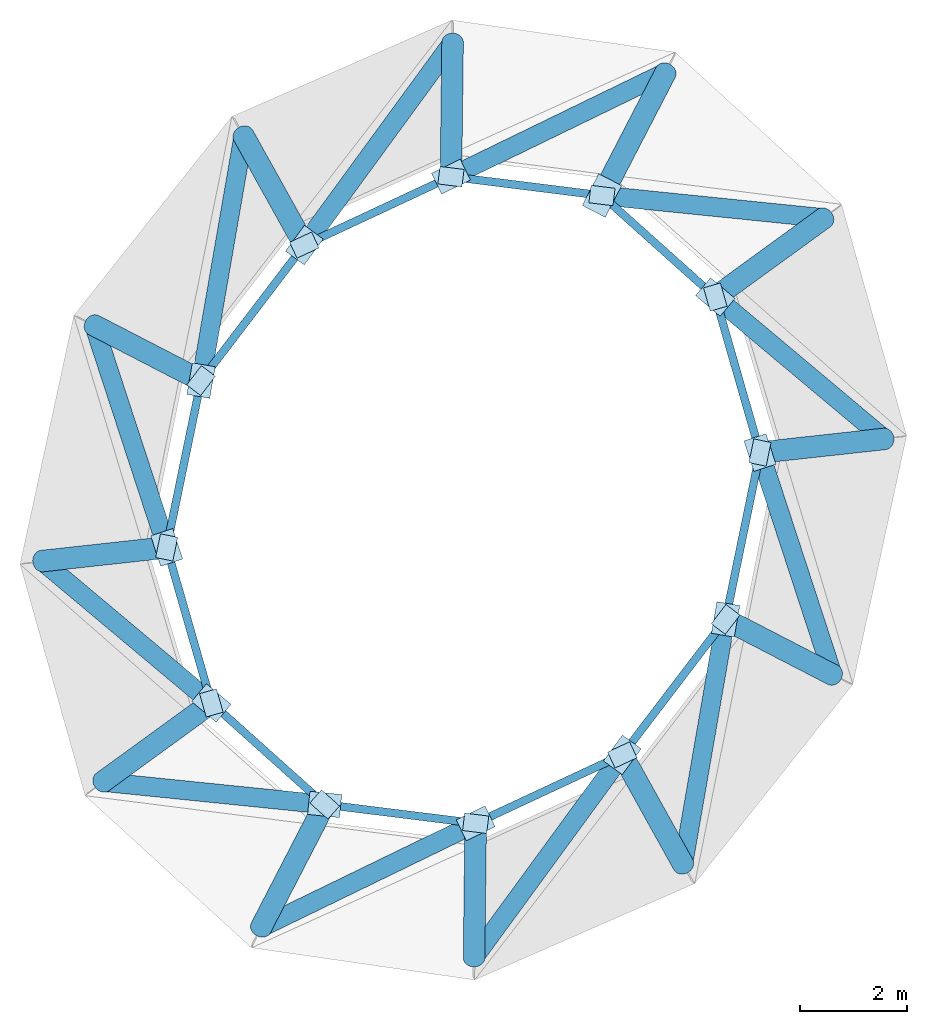
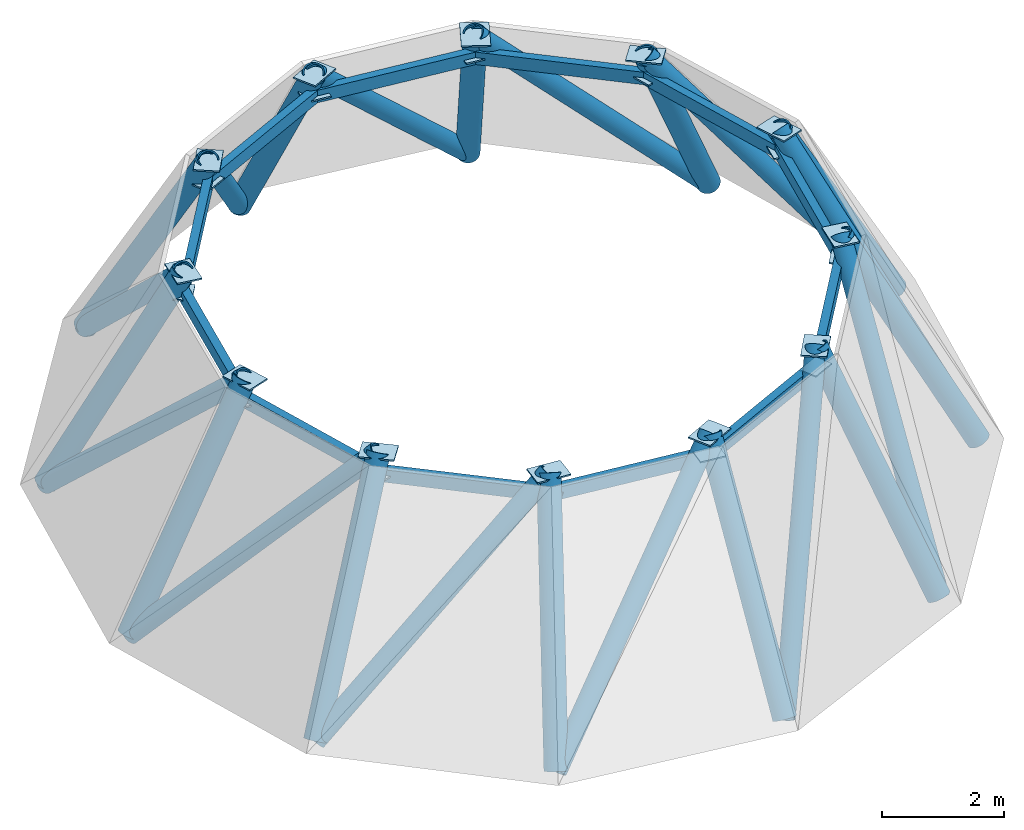
# One storey, part 1 of 2: 36 members, 24 plates.
"""IFC4 building model written with IfcOpenShell, lengths in metres."""

import ifcopenshell
import ifcopenshell.guid

model = None  # the IFC model being written
_history = None  # IfcOwnerHistory: only IFC2X3 demands one
_inside = {}  # id of a spatial element -> (the spatial element, [elements in it])
_under = {}  # id of a project, library or spatial element -> (it, [spatial elements below it])
_declared = {}  # id of a project -> (the project, [libraries it declares])
_typed = {}  # id of a type object -> (the type object, [elements of that type])
_made_of = {}  # id of a material, layer set ... -> (it, [elements and type objects made of it])


def new_model(schema):
    """Start an empty IFC model of exactly this schema.

    Asked for "IFC4X3", IfcOpenShell would pick the latest addendum, in which some entities
    have other attributes; the version numbers below select the first issue.
    IFC2X3 requires an IfcOwnerHistory on every rooted entity: one is made here for all.
    """
    global model, _history
    if schema == "IFC4X3":
        model = ifcopenshell.file(schema_version=(4, 3, 0, 0))
    else:
        model = ifcopenshell.file(schema=schema)
    _inside.clear()
    _under.clear()
    _declared.clear()
    _typed.clear()
    _made_of.clear()
    _history = None
    if model.schema == "IFC2X3":
        org = make("IfcOrganization", Name="unknown")
        user = make(
            "IfcPersonAndOrganization",
            ThePerson=make("IfcPerson", FamilyName="unknown"),
            TheOrganization=org,
        )
        app = make(
            "IfcApplication",
            ApplicationDeveloper=org,
            Version="unknown",
            ApplicationFullName="unknown",
            ApplicationIdentifier="unknown",
        )
        _history = make(
            "IfcOwnerHistory",
            OwningUser=user,
            OwningApplication=app,
            ChangeAction="ADDED",
            CreationDate=0,
        )
    return model


def make(cls, **values):
    """One entity of the class cls with the attributes given. An attribute that is None is left unset."""
    return model.create_entity(
        cls, **{name: value for name, value in values.items() if value is not None}
    )


def rooted(cls, **values):
    """An entity with a GlobalId (a new one), such as an element, a storey or a relation."""
    return make(cls, GlobalId=ifcopenshell.guid.new(), OwnerHistory=_history, **values)


def si_unit(unit_type, name, prefix=None):
    """IfcSIUnit, for example si_unit("LENGTHUNIT", "METRE", prefix="MILLI")."""
    return make("IfcSIUnit", UnitType=unit_type, Prefix=prefix, Name=name)


def assignment(units):
    """IfcUnitAssignment: the units of a project."""
    return None if units is None else make("IfcUnitAssignment", Units=units)


def point(xyz):
    """IfcCartesianPoint."""
    return None if xyz is None else make("IfcCartesianPoint", Coordinates=xyz)


def direction(xyz):
    """IfcDirection."""
    return None if xyz is None else make("IfcDirection", DirectionRatios=xyz)


def frame(location, z_axis=None, x_axis=None):
    """IfcAxis2Placement3D, a coordinate frame: its origin and axes. An axis left out is left unset."""
    return make(
        "IfcAxis2Placement3D",
        Location=point(location),
        Axis=direction(z_axis),
        RefDirection=direction(x_axis),
    )


def frame_2d(location, x_axis=None):
    """IfcAxis2Placement2D, a coordinate frame in the plane: its origin and x axis."""
    return make(
        "IfcAxis2Placement2D", Location=point(location), RefDirection=direction(x_axis)
    )


def origin():
    """The frame at (0, 0, 0) with its axes left unset."""
    return frame((0.0, 0.0, 0.0))


def origin_2d():
    """The frame at (0, 0) in the plane with its x axis left unset."""
    return frame_2d((0.0, 0.0))


def place(relative_to, where):
    """IfcLocalPlacement: puts the frame where relative to a parent placement (None: the world)."""
    return make(
        "IfcLocalPlacement", PlacementRelTo=relative_to, RelativePlacement=where
    )


def context(
    kind, dimensions, precision=None, world=None, true_north=None, identifier=None
):
    """IfcGeometricRepresentationContext, for example the 3D "Model" context."""
    return make(
        "IfcGeometricRepresentationContext",
        ContextIdentifier=identifier,
        ContextType=kind,
        CoordinateSpaceDimension=dimensions,
        Precision=precision,
        WorldCoordinateSystem=world,
        TrueNorth=true_north,
    )


def subcontext(parent, identifier, kind, view, scale=None):
    """IfcGeometricRepresentationSubContext, for example "Body" below "Model"."""
    return make(
        "IfcGeometricRepresentationSubContext",
        ContextIdentifier=identifier,
        ContextType=kind,
        ParentContext=parent,
        TargetScale=scale,
        TargetView=view,
    )


def project(units=None, contexts=None):
    """IfcProject with its units and contexts."""
    return rooted(
        "IfcProject",
        Name="project",
        RepresentationContexts=contexts,
        UnitsInContext=assignment(units),
    )


def spatial(cls, under=None, at=None, **own):
    """A site, building, storey or space (cls), placed at a placement, below another one or the project."""
    s = rooted(cls, ObjectPlacement=at, **own)
    if under is not None:
        _under.setdefault(under.id(), (under, []))[1].append(s)
    return s


def profile(cls, at=None, kind="AREA", **sizes):
    """A parametric profile (cls). Its sizes go by their IFC names, for example OverallWidth=200.0."""
    return make(cls, ProfileType=kind, Position=at, **sizes)


def rectangle(**sizes):
    """IfcRectangleProfileDef."""
    return profile("IfcRectangleProfileDef", **sizes)


def hollow_rectangle(**sizes):
    """IfcRectangleHollowProfileDef."""
    return profile("IfcRectangleHollowProfileDef", **sizes)


def hollow_circle(**sizes):
    """IfcCircleHollowProfileDef."""
    return profile("IfcCircleHollowProfileDef", **sizes)


def extrude(swept, where, along, depth):
    """IfcExtrudedAreaSolid: the profile swept, set in the frame where, extruded along a direction by depth."""
    return make(
        "IfcExtrudedAreaSolid",
        SweptArea=swept,
        Position=where,
        ExtrudedDirection=direction(along),
        Depth=depth,
    )


def shape(context_of_items, identifier, shape_type, items):
    """IfcShapeRepresentation: the items that make up one representation, for example the "Body"."""
    return make(
        "IfcShapeRepresentation",
        ContextOfItems=context_of_items,
        RepresentationIdentifier=identifier,
        RepresentationType=shape_type,
        Items=items,
    )


def material(Name=None, Category=None):
    """IfcMaterial."""
    return make("IfcMaterial", Name=Name, Category=Category)


def layer(
    of_material, thickness, ventilated=None, Name=None, Category=None, Priority=None
):
    """IfcMaterialLayer: one layer of a wall or slab, of a material (None: an air gap)."""
    return make(
        "IfcMaterialLayer",
        Material=of_material,
        LayerThickness=thickness,
        IsVentilated=ventilated,
        Name=Name,
        Category=Category,
        Priority=Priority,
    )


def layer_set(layers, Name=None):
    """IfcMaterialLayerSet."""
    return make("IfcMaterialLayerSet", MaterialLayers=layers, LayerSetName=Name)


def material_profile(
    of_material, cross_section, Name=None, Category=None, Priority=None
):
    """IfcMaterialProfile: a cross section and its material."""
    return make(
        "IfcMaterialProfile",
        Name=Name,
        Material=of_material,
        Profile=cross_section,
        Priority=Priority,
        Category=Category,
    )


def profile_set(profiles, Name=None, composite=None):
    """IfcMaterialProfileSet."""
    return make(
        "IfcMaterialProfileSet",
        Name=Name,
        MaterialProfiles=profiles,
        CompositeProfile=composite,
    )


def made_of(thing, what):
    """Note that an element or type object is made of a material, layer set ...; save() writes the relation."""
    if what is not None:
        _made_of.setdefault(what.id(), (what, []))[1].append(thing)
    return thing


def type_object(cls, material=None, **own):
    """A type object (cls), such as IfcWallType, which elements share."""
    return made_of(rooted(cls, **own), material)


def element(
    cls,
    number,
    at=None,
    inside=None,
    cuts=None,
    type_object=None,
    material=None,
    context=None,
    identifier="Body",
    shape_type=None,
    held_by="IfcProductDefinitionShape",
    body=None,
    shapes=None,
    **own,
):
    """One element of the class cls, such as IfcWall. Its Tag is "e" and its number.

    at: its placement. inside: the storey or other place that contains it. cuts: it is an
    opening in that element (IfcRelVoidsElement). A single representation is given by context,
    identifier, shape_type and body (its items); several are given by shapes. held_by: the class
    of the entity that holds the representations. save() writes the other relations.
    """
    e = rooted(cls, Tag="e%d" % number, ObjectPlacement=at, **own)
    if body is not None:
        shapes = [shape(context, identifier, shape_type, body)]
    if shapes is not None:
        e.Representation = make(held_by, Representations=shapes)
    if inside is not None:
        _inside.setdefault(inside.id(), (inside, []))[1].append(e)
    if cuts is not None:
        rooted(
            "IfcRelVoidsElement", RelatingBuildingElement=cuts, RelatedOpeningElement=e
        )
    if type_object is not None:
        _typed.setdefault(type_object.id(), (type_object, []))[1].append(e)
    return made_of(e, material)


def aggregate(whole, parts):
    """IfcRelAggregates: a whole, such as a stair, and the parts it consists of."""
    return rooted("IfcRelAggregates", RelatingObject=whole, RelatedObjects=parts)


def save(model, path):
    """Write the relations noted so far, then the file.

    IfcRelAggregates (storeys below a building ...), IfcRelContainedInSpatialStructure (elements
    in a storey), IfcRelDefinesByType, IfcRelAssociatesMaterial and IfcRelDeclares: one each for
    every whole, place, type object, material and project.
    """
    for whole, parts in _under.values():
        aggregate(whole, parts)
    for where, things in _inside.values():
        rooted(
            "IfcRelContainedInSpatialStructure",
            RelatedElements=things,
            RelatingStructure=where,
        )
    for kind, things in _typed.values():
        rooted("IfcRelDefinesByType", RelatedObjects=things, RelatingType=kind)
    for what, things in _made_of.values():
        rooted("IfcRelAssociatesMaterial", RelatedObjects=things, RelatingMaterial=what)
    for by, libraries in _declared.values():
        rooted("IfcRelDeclares", RelatingContext=by, RelatedDefinitions=libraries)
    model.write(path)


model = new_model("IFC4")

# Units and contexts
model_context = context("Model", 3, precision=1e-05, world=origin(), true_north=direction((0.0, 1.0)))
body_context = subcontext(model_context, "Body", "Model", "MODEL_VIEW")
ifc_project = project(units=[si_unit("LENGTHUNIT", "METRE"), si_unit("AREAUNIT", "SQUARE_METRE"), si_unit("VOLUMEUNIT", "CUBIC_METRE"), si_unit("PLANEANGLEUNIT", "RADIAN"), si_unit("MASSUNIT", "GRAM", prefix="KILO")], contexts=[model_context])

# Site, building, storey
site_placement = place(None, origin())
site = spatial("IfcSite", under=ifc_project, at=site_placement, CompositionType="ELEMENT")
building_placement = place(site_placement, origin())
building = spatial("IfcBuilding", under=site, at=building_placement, Name="Veldorim Arch Residences", CompositionType="ELEMENT")
storey_placement = place(building_placement, frame((0.0, 0.0, 259.360107421875)))
storey = spatial("IfcBuildingStorey", under=building, at=storey_placement, Name="L77", CompositionType="ELEMENT", Elevation=259.360107421875)

# Members
ifc_material_1 = material(Name="Steel S460", Category="steel")
ifc_material_profile_1 = material_profile(ifc_material_1, hollow_circle(Radius=0.177734375, WallThickness=0.02490234375, at=origin_2d()), Name="CHS355.6x25")
ifc_profile_set_1 = profile_set([ifc_material_profile_1], Name="Steel S460")
member_type_1 = type_object("IfcMemberType", Name="Crown Diagrid CHS355.6x25", PredefinedType="STRUT", material=ifc_profile_set_1)
member_1_placement = place(storey_placement, frame((35.7978515625, 32.02685546875, 0.0), z_axis=(-0.659189302018, -0.320210747085, 0.680392931736), x_axis=(0.436940491752, -0.899490414995, 0.0)))
element("IfcMember", 1, at=member_1_placement, inside=storey, type_object=member_type_1, Name="L77 Crown Diagrid diagrid brace 01", PredefinedType="STRUT", context=body_context, shape_type="SweptSolid", body=[
    extrude(hollow_circle(Radius=0.177734375, WallThickness=0.02490234375, at=origin_2d()), origin(), (0.0, 0.0, 1.0), 6.114013671875),
])
member_2_placement = place(storey_placement, frame((31.798095703125, 32.59033203125, 0.0), z_axis=(-0.442585656044, -0.605283839833, 0.661626337369), x_axis=(0.807224099624, -0.590245078748, 0.0)))
element("IfcMember", 2, at=member_2_placement, inside=storey, type_object=member_type_1, Name="L77 Crown Diagrid diagrid brace 02", PredefinedType="STRUT", context=body_context, shape_type="SweptSolid", body=[
    extrude(hollow_circle(Radius=0.177734375, WallThickness=0.02490234375, at=origin_2d()), origin(), (0.0, 0.0, 1.0), 6.287353515625),
])
member_3_placement = place(storey_placement, frame((27.87255859375, 30.840087890625, 0.0), z_axis=(-0.127347950194, -0.735540828548, 0.665403779009), x_axis=(0.985340867922, -0.170597110183, 0.0)))
element("IfcMember", 3, at=member_3_placement, inside=storey, type_object=member_type_1, Name="L77 Crown Diagrid diagrid brace 03", PredefinedType="STRUT", context=body_context, shape_type="SweptSolid", body=[
    extrude(hollow_circle(Radius=0.177734375, WallThickness=0.02490234375, at=origin_2d()), origin(), (0.0, 0.0, 1.0), 6.251708984375),
])
member_4_placement = place(storey_placement, frame((25.06689453125, 27.2802734375, 0.0), z_axis=(0.225665196523, -0.689754616604, 0.687978043219), x_axis=(0.950426728512, 0.310948603035, 0.0)))
element("IfcMember", 4, at=member_4_placement, inside=storey, type_object=member_type_1, Name="L77 Crown Diagrid diagrid brace 04", PredefinedType="STRUT", context=body_context, shape_type="SweptSolid", body=[
    extrude(hollow_circle(Radius=0.177734375, WallThickness=0.02490234375, at=origin_2d()), origin(), (0.0, 0.0, 1.0), 6.046630859375),
])
member_5_placement = place(storey_placement, frame((24.093994140625, 22.853515625, 0.0), z_axis=(0.540818228299, -0.453509012476, 0.708410346863), x_axis=(0.642545329204, 0.76624767531, 0.0)))
element("IfcMember", 5, at=member_5_placement, inside=storey, type_object=member_type_1, Name="L77 Crown Diagrid diagrid brace 05", PredefinedType="STRUT", context=body_context, shape_type="SweptSolid", body=[
    extrude(hollow_circle(Radius=0.177734375, WallThickness=0.02490234375, at=origin_2d()), origin(), (0.0, 0.0, 1.0), 5.8720703125),
])
member_6_placement = place(storey_placement, frame((25.22998046875, 18.708251953125, 0.0), z_axis=(0.705943652832, -0.071789478139, 0.704620344479), x_axis=(0.101171146783, 0.994869036134, 0.0)))
element("IfcMember", 6, at=member_6_placement, inside=storey, type_object=member_type_1, Name="L77 Crown Diagrid diagrid brace 06", PredefinedType="STRUT", context=body_context, shape_type="SweptSolid", body=[
    extrude(hollow_circle(Radius=0.177734375, WallThickness=0.02490234375, at=origin_2d()), origin(), (0.0, 0.0, 1.0), 5.90380859375),
])
member_7_placement = place(storey_placement, frame((28.2021484375, 15.97314453125, 0.0), z_axis=(0.659189302018, 0.320210747085, 0.680392931736), x_axis=(-0.436940491752, 0.899490414995, 0.0)))
element("IfcMember", 7, at=member_7_placement, inside=storey, type_object=member_type_1, Name="L77 Crown Diagrid diagrid brace 07", PredefinedType="STRUT", context=body_context, shape_type="SweptSolid", body=[
    extrude(hollow_circle(Radius=0.177734375, WallThickness=0.02490234375, at=origin_2d()), origin(), (0.0, 0.0, 1.0), 6.114013671875),
])
member_8_placement = place(storey_placement, frame((32.201904296875, 15.40966796875, 0.0), z_axis=(0.442585656044, 0.605283839833, 0.661626337369), x_axis=(-0.807224099624, 0.590245078748, 0.0)))
element("IfcMember", 8, at=member_8_placement, inside=storey, type_object=member_type_1, Name="L77 Crown Diagrid diagrid brace 08", PredefinedType="STRUT", context=body_context, shape_type="SweptSolid", body=[
    extrude(hollow_circle(Radius=0.177734375, WallThickness=0.02490234375, at=origin_2d()), origin(), (0.0, 0.0, 1.0), 6.287353515625),
])
member_9_placement = place(storey_placement, frame((36.12744140625, 17.159912109375, 0.0), z_axis=(0.127347950194, 0.735540828548, 0.665403779009), x_axis=(-0.985340867922, 0.170597110183, 0.0)))
element("IfcMember", 9, at=member_9_placement, inside=storey, type_object=member_type_1, Name="L77 Crown Diagrid diagrid brace 09", PredefinedType="STRUT", context=body_context, shape_type="SweptSolid", body=[
    extrude(hollow_circle(Radius=0.177734375, WallThickness=0.02490234375, at=origin_2d()), origin(), (0.0, 0.0, 1.0), 6.251708984375),
])
member_10_placement = place(storey_placement, frame((38.93310546875, 20.7197265625, 0.0), z_axis=(-0.225665196523, 0.689754616604, 0.687978043219), x_axis=(-0.950426728512, -0.310948603035, 0.0)))
element("IfcMember", 10, at=member_10_placement, inside=storey, type_object=member_type_1, Name="L77 Crown Diagrid diagrid brace 10", PredefinedType="STRUT", context=body_context, shape_type="SweptSolid", body=[
    extrude(hollow_circle(Radius=0.177734375, WallThickness=0.02490234375, at=origin_2d()), origin(), (0.0, 0.0, 1.0), 6.046630859375),
])
member_11_placement = place(storey_placement, frame((39.906005859375, 25.146484375, 0.0), z_axis=(-0.540818228299, 0.453509012476, 0.708410346863), x_axis=(-0.642545329204, -0.76624767531, 0.0)))
element("IfcMember", 11, at=member_11_placement, inside=storey, type_object=member_type_1, Name="L77 Crown Diagrid diagrid brace 11", PredefinedType="STRUT", context=body_context, shape_type="SweptSolid", body=[
    extrude(hollow_circle(Radius=0.177734375, WallThickness=0.02490234375, at=origin_2d()), origin(), (0.0, 0.0, 1.0), 5.8720703125),
])
member_12_placement = place(storey_placement, frame((38.77001953125, 29.291748046875, 0.0), z_axis=(-0.705943652832, 0.071789478139, 0.704620344479), x_axis=(-0.101171146783, -0.994869036134, 0.0)))
element("IfcMember", 12, at=member_12_placement, inside=storey, type_object=member_type_1, Name="L77 Crown Diagrid diagrid brace 12", PredefinedType="STRUT", context=body_context, shape_type="SweptSolid", body=[
    extrude(hollow_circle(Radius=0.177734375, WallThickness=0.02490234375, at=origin_2d()), origin(), (0.0, 0.0, 1.0), 5.90380859375),
])
ifc_material_2 = material(Name="Steel S460", Category="steel")
ifc_material_profile_2 = material_profile(ifc_material_2, hollow_circle(Radius=0.203125, WallThickness=0.02490234375, at=origin_2d()), Name="CHS406.4x25")
ifc_profile_set_2 = profile_set([ifc_material_profile_2], Name="Steel S460")
member_type_2 = type_object("IfcMemberType", Name="Crown Diagrid CHS406.4x25", PredefinedType="BRACE", material=ifc_profile_set_2)
member_13_placement = place(storey_placement, frame((35.7978515625, 32.02685546875, 0.0), z_axis=(-0.243655296484, -0.471040369984, 0.847793056318), x_axis=(0.888207081414, -0.459443337666, 0.0)))
element("IfcMember", 13, at=member_13_placement, inside=storey, type_object=member_type_2, Name="L77 Crown Diagrid tapering rib 01", PredefinedType="BRACE", context=body_context, shape_type="SweptSolid", body=[
    extrude(hollow_circle(Radius=0.203125, WallThickness=0.02490234375, at=origin_2d()), origin(), (0.0, 0.0, 1.0), 4.90673828125),
])
member_14_placement = place(storey_placement, frame((31.798095703125, 32.59033203125, 0.0), z_axis=(-0.006273648586, -0.518303751618, 0.855173586117), x_axis=(0.999926752306, -0.012103306288, 0.0)))
element("IfcMember", 14, at=member_14_placement, inside=storey, type_object=member_type_2, Name="L77 Crown Diagrid tapering rib 02", PredefinedType="BRACE", context=body_context, shape_type="SweptSolid", body=[
    extrude(hollow_circle(Radius=0.203125, WallThickness=0.02490234375, at=origin_2d()), origin(), (0.0, 0.0, 1.0), 4.864501953125),
])
member_15_placement = place(storey_placement, frame((27.87255859375, 30.840087890625, 0.0), z_axis=(0.239150825817, -0.430124076598, 0.870517180325), x_axis=(0.873990734284, 0.485942585483, 0.0)))
element("IfcMember", 15, at=member_15_placement, inside=storey, type_object=member_type_2, Name="L77 Crown Diagrid tapering rib 03", PredefinedType="BRACE", context=body_context, shape_type="SweptSolid", body=[
    extrude(hollow_circle(Radius=0.203125, WallThickness=0.02490234375, at=origin_2d()), origin(), (0.0, 0.0, 1.0), 4.778564453125),
])
member_16_placement = place(storey_placement, frame((25.06689453125, 27.2802734375, 0.0), z_axis=(0.424383569775, -0.219332730631, 0.87851678355), x_axis=(0.459132213525, 0.888367947702, 0.0)))
element("IfcMember", 16, at=member_16_placement, inside=storey, type_object=member_type_2, Name="L77 Crown Diagrid tapering rib 04", PredefinedType="BRACE", context=body_context, shape_type="SweptSolid", body=[
    extrude(hollow_circle(Radius=0.203125, WallThickness=0.02490234375, at=origin_2d()), origin(), (0.0, 0.0, 1.0), 4.735107421875),
])
member_17_placement = place(storey_placement, frame((24.093994140625, 22.853515625, 0.0), z_axis=(0.489151462808, 0.053595141475, 0.870550634508), x_axis=(-0.108915759499, 0.994050983266, 0.0)))
element("IfcMember", 17, at=member_17_placement, inside=storey, type_object=member_type_2, Name="L77 Crown Diagrid tapering rib 05", PredefinedType="BRACE", context=body_context, shape_type="SweptSolid", body=[
    extrude(hollow_circle(Radius=0.203125, WallThickness=0.02490234375, at=origin_2d()), origin(), (0.0, 0.0, 1.0), 4.778564453125),
])
member_18_placement = place(storey_placement, frame((25.22998046875, 18.708251953125, 0.0), z_axis=(0.419330401112, 0.304698368061, 0.855173034656), x_axis=(-0.587831968956, 0.808983050671, 0.0)))
element("IfcMember", 18, at=member_18_placement, inside=storey, type_object=member_type_2, Name="L77 Crown Diagrid tapering rib 06", PredefinedType="BRACE", context=body_context, shape_type="SweptSolid", body=[
    extrude(hollow_circle(Radius=0.203125, WallThickness=0.02490234375, at=origin_2d()), origin(), (0.0, 0.0, 1.0), 4.864501953125),
])
member_19_placement = place(storey_placement, frame((28.2021484375, 15.97314453125, 0.0), z_axis=(0.243655296484, 0.471040369984, 0.847793056318), x_axis=(-0.888207081414, 0.459443337666, 0.0)))
element("IfcMember", 19, at=member_19_placement, inside=storey, type_object=member_type_2, Name="L77 Crown Diagrid tapering rib 07", PredefinedType="BRACE", context=body_context, shape_type="SweptSolid", body=[
    extrude(hollow_circle(Radius=0.203125, WallThickness=0.02490234375, at=origin_2d()), origin(), (0.0, 0.0, 1.0), 4.90673828125),
])
member_20_placement = place(storey_placement, frame((32.201904296875, 15.40966796875, 0.0), z_axis=(0.006273648586, 0.518303751618, 0.855173586117), x_axis=(-0.999926752306, 0.012103306288, 0.0)))
element("IfcMember", 20, at=member_20_placement, inside=storey, type_object=member_type_2, Name="L77 Crown Diagrid tapering rib 08", PredefinedType="BRACE", context=body_context, shape_type="SweptSolid", body=[
    extrude(hollow_circle(Radius=0.203125, WallThickness=0.02490234375, at=origin_2d()), origin(), (0.0, 0.0, 1.0), 4.864501953125),
])
member_21_placement = place(storey_placement, frame((36.12744140625, 17.159912109375, 0.0), z_axis=(-0.239150825817, 0.430124076598, 0.870517180325), x_axis=(-0.873990734284, -0.485942585483, 0.0)))
element("IfcMember", 21, at=member_21_placement, inside=storey, type_object=member_type_2, Name="L77 Crown Diagrid tapering rib 09", PredefinedType="BRACE", context=body_context, shape_type="SweptSolid", body=[
    extrude(hollow_circle(Radius=0.203125, WallThickness=0.02490234375, at=origin_2d()), origin(), (0.0, 0.0, 1.0), 4.778564453125),
])
member_22_placement = place(storey_placement, frame((38.93310546875, 20.7197265625, 0.0), z_axis=(-0.424383569775, 0.219332730631, 0.87851678355), x_axis=(-0.459132213525, -0.888367947702, 0.0)))
element("IfcMember", 22, at=member_22_placement, inside=storey, type_object=member_type_2, Name="L77 Crown Diagrid tapering rib 10", PredefinedType="BRACE", context=body_context, shape_type="SweptSolid", body=[
    extrude(hollow_circle(Radius=0.203125, WallThickness=0.02490234375, at=origin_2d()), origin(), (0.0, 0.0, 1.0), 4.735107421875),
])
member_23_placement = place(storey_placement, frame((39.906005859375, 25.146484375, 0.0), z_axis=(-0.489151462808, -0.053595141475, 0.870550634508), x_axis=(0.108915759499, -0.994050983266, 0.0)))
element("IfcMember", 23, at=member_23_placement, inside=storey, type_object=member_type_2, Name="L77 Crown Diagrid tapering rib 11", PredefinedType="BRACE", context=body_context, shape_type="SweptSolid", body=[
    extrude(hollow_circle(Radius=0.203125, WallThickness=0.02490234375, at=origin_2d()), origin(), (0.0, 0.0, 1.0), 4.778564453125),
])
member_24_placement = place(storey_placement, frame((38.77001953125, 29.291748046875, 0.0), z_axis=(-0.419330401112, -0.304698368061, 0.855173034656), x_axis=(0.587831968956, -0.808983050671, 0.0)))
element("IfcMember", 24, at=member_24_placement, inside=storey, type_object=member_type_2, Name="L77 Crown Diagrid tapering rib 12", PredefinedType="BRACE", context=body_context, shape_type="SweptSolid", body=[
    extrude(hollow_circle(Radius=0.203125, WallThickness=0.02490234375, at=origin_2d()), origin(), (0.0, 0.0, 1.0), 4.864501953125),
])
ifc_material_3 = material(Name="Steel S355", Category="steel")
ifc_material_profile_3 = material_profile(ifc_material_3, hollow_rectangle(XDim=0.14990234375, YDim=0.25, WallThickness=0.012451171875, at=origin_2d()), Name="RHS250x150x12.5")
ifc_profile_set_3 = profile_set([ifc_material_profile_3], Name="Steel S355")
member_type_3 = type_object("IfcMemberType", Name="Truss Purlin RHS250x150x12.5", PredefinedType="PURLIN", material=ifc_profile_set_3)
member_25_placement = place(storey_placement, frame((34.602294921875, 29.715576171875, 3.739990234375), z_axis=(-0.992313336174, 0.123750728687, 0.0), x_axis=(-0.123750728687, -0.992313336174, 0.0)))
element("IfcMember", 25, at=member_25_placement, inside=storey, type_object=member_type_3, Name="L77 crown ring purlin 01", PredefinedType="PURLIN", context=body_context, shape_type="SweptSolid", body=[
    extrude(hollow_rectangle(XDim=0.14990234375, YDim=0.25, WallThickness=0.012451171875, at=origin_2d()), origin(), (0.0, 0.0, 1.0), 2.856689453125),
])
member_26_placement = place(storey_placement, frame((31.767578125, 30.069091796875, 3.739990234375), z_axis=(-0.906174925346, -0.422903067705, 0.0), x_axis=(0.422903067705, -0.906174925346, 0.0)))
element("IfcMember", 26, at=member_26_placement, inside=storey, type_object=member_type_3, Name="L77 crown ring purlin 02", PredefinedType="PURLIN", context=body_context, shape_type="SweptSolid", body=[
    extrude(hollow_rectangle(XDim=0.14990234375, YDim=0.25, WallThickness=0.012451171875, at=origin_2d()), origin(), (0.0, 0.0, 1.0), 3.037109375),
])
for number, where, z_axis, x_axis, name in (
    (27, (29.015380859375, 28.78466796875, 3.739990234375), (-0.606333001729, -0.795210846892, 0.0), (0.795210846892, -0.606333001729, 0.0), "L77 crown ring purlin 03"),
    (28, (27.076416015625, 26.24169921875, 3.739990234375), (-0.201706774562, -0.979445954147, 0.0), (0.979445954147, -0.201706774562, 0.0), "L77 crown ring purlin 04"),
):
    element("IfcMember", number, at=place(storey_placement, frame(where, z_axis=z_axis, x_axis=x_axis)), inside=storey, type_object=member_type_3, Name=name, PredefinedType="PURLIN", context=body_context, shape_type="SweptSolid", body=[
        extrude(hollow_rectangle(XDim=0.14990234375, YDim=0.25, WallThickness=0.012451171875, at=origin_2d()), origin(), (0.0, 0.0, 1.0), 3.19775390625),
    ])
member_27_placement = place(storey_placement, frame((26.431396484375, 23.109619140625, 3.739990234375), z_axis=(0.276037341722, -0.961146911755, 0.0), x_axis=(0.961146911755, 0.276037341722, 0.0)))
element("IfcMember", 29, at=member_27_placement, inside=storey, type_object=member_type_3, Name="L77 crown ring purlin 05", PredefinedType="PURLIN", context=body_context, shape_type="SweptSolid", body=[
    extrude(hollow_rectangle(XDim=0.14990234375, YDim=0.25, WallThickness=0.012451171875, at=origin_2d()), origin(), (0.0, 0.0, 1.0), 3.037109375),
])
for number, where, z_axis, x_axis, name in (
    (30, (27.269775390625, 20.1904296875, 3.739990234375), (0.744881346867, -0.667196956745, 0.0), (0.667196956745, 0.744881346867, 0.0), "L77 crown ring purlin 06"),
    (31, (29.397705078125, 18.284423828125, 3.739990234375), (0.992313336174, -0.123750728687, 0.0), (0.123750728687, 0.992313336174, 0.0), "L77 crown ring purlin 07"),
):
    element("IfcMember", number, at=place(storey_placement, frame(where, z_axis=z_axis, x_axis=x_axis)), inside=storey, type_object=member_type_3, Name=name, PredefinedType="PURLIN", context=body_context, shape_type="SweptSolid", body=[
        extrude(hollow_rectangle(XDim=0.14990234375, YDim=0.25, WallThickness=0.012451171875, at=origin_2d()), origin(), (0.0, 0.0, 1.0), 2.856689453125),
    ])
member_28_placement = place(storey_placement, frame((32.232421875, 17.930908203125, 3.739990234375), z_axis=(0.906174925346, 0.422903067705, 0.0), x_axis=(-0.422903067705, 0.906174925346, 0.0)))
element("IfcMember", 32, at=member_28_placement, inside=storey, type_object=member_type_3, Name="L77 crown ring purlin 08", PredefinedType="PURLIN", context=body_context, shape_type="SweptSolid", body=[
    extrude(hollow_rectangle(XDim=0.14990234375, YDim=0.25, WallThickness=0.012451171875, at=origin_2d()), origin(), (0.0, 0.0, 1.0), 3.037109375),
])
for number, where, z_axis, x_axis, name in (
    (33, (34.984619140625, 19.21533203125, 3.739990234375), (0.606333001729, 0.795210846892, 0.0), (-0.795210846892, 0.606333001729, 0.0), "L77 crown ring purlin 09"),
    (34, (36.923583984375, 21.75830078125, 3.739990234375), (0.201706774562, 0.979445954147, 0.0), (-0.979445954147, 0.201706774562, 0.0), "L77 crown ring purlin 10"),
):
    element("IfcMember", number, at=place(storey_placement, frame(where, z_axis=z_axis, x_axis=x_axis)), inside=storey, type_object=member_type_3, Name=name, PredefinedType="PURLIN", context=body_context, shape_type="SweptSolid", body=[
        extrude(hollow_rectangle(XDim=0.14990234375, YDim=0.25, WallThickness=0.012451171875, at=origin_2d()), origin(), (0.0, 0.0, 1.0), 3.19775390625),
    ])
member_29_placement = place(storey_placement, frame((37.568603515625, 24.890380859375, 3.739990234375), z_axis=(-0.276037341722, 0.961146911755, 0.0), x_axis=(-0.961146911755, -0.276037341722, 0.0)))
element("IfcMember", 35, at=member_29_placement, inside=storey, type_object=member_type_3, Name="L77 crown ring purlin 11", PredefinedType="PURLIN", context=body_context, shape_type="SweptSolid", body=[
    extrude(hollow_rectangle(XDim=0.14990234375, YDim=0.25, WallThickness=0.012451171875, at=origin_2d()), origin(), (0.0, 0.0, 1.0), 3.037109375),
])
member_30_placement = place(storey_placement, frame((36.730224609375, 27.8095703125, 3.739990234375), z_axis=(-0.744881346867, 0.667196956745, 0.0), x_axis=(-0.667196956745, -0.744881346867, 0.0)))
element("IfcMember", 36, at=member_30_placement, inside=storey, type_object=member_type_3, Name="L77 crown ring purlin 12", PredefinedType="PURLIN", context=body_context, shape_type="SweptSolid", body=[
    extrude(hollow_rectangle(XDim=0.14990234375, YDim=0.25, WallThickness=0.012451171875, at=origin_2d()), origin(), (0.0, 0.0, 1.0), 2.856689453125),
])

# Plates
ifc_material_4 = material(Name="Steel S460", Category="steel")
ifc_layer = layer(ifc_material_4, 0.028076171875, Name="Welded Crown Rib End-Cap Gusset Plate 28")
ifc_layer_set = layer_set([ifc_layer], Name="Steel S460")
plate_type = type_object("IfcPlateType", Name="Welded Crown Rib End-Cap Gusset Plate 28", PredefinedType="USERDEFINED", material=ifc_layer_set)
plate_1_placement = place(storey_placement, frame((34.602294921875, 29.715576171875, 4.14599609375), z_axis=(0.0, 0.0, 1.0), x_axis=(-0.459409342195, -0.888224665444, 0.0)))
element("IfcPlate", 37, at=plate_1_placement, inside=storey, type_object=plate_type, Name="L77 Crown Diagrid tapering rib 01 welded joint gusset plate 2", ObjectType="GUSSET PLATE", PredefinedType="USERDEFINED", context=body_context, shape_type="SweptSolid", body=[
    extrude(rectangle(XDim=0.6708984375, YDim=0.486083984375, at=origin_2d()), origin(), (0.0, 0.0, 1.0), 0.028076171875),
])
plate_2_placement = place(storey_placement, frame((31.767578125, 30.069091796875, 4.14599609375), z_axis=(0.0, 0.0, 1.0), x_axis=(-0.899481528961, -0.436958784165, 0.0)))
element("IfcPlate", 38, at=plate_2_placement, inside=storey, type_object=plate_type, Name="L77 Crown Diagrid diagrid brace 01 welded joint gusset plate 2", ObjectType="GUSSET PLATE", PredefinedType="USERDEFINED", context=body_context, shape_type="SweptSolid", body=[
    extrude(rectangle(XDim=0.60205078125, YDim=0.43603515625, at=origin_2d()), origin(), (0.0, 0.0, 1.0), 0.028076171875),
])
for number, where, z_axis, x_axis, name in (
    (39, (34.602294921875, 29.715576171875, 3.72607421875), (0.0, 0.0, 1.0), (-0.992314670191, 0.123740031212, 0.0), "L77 crown ring purlin 01 welded joint gusset plate 1"),
    (40, (31.767578125, 30.069091796875, 3.72607421875), (0.0, 0.0, 1.0), (-0.992314670191, 0.123740031212, 0.0), "L77 crown ring purlin 01 welded joint gusset plate 2"),
):
    element("IfcPlate", number, at=place(storey_placement, frame(where, z_axis=z_axis, x_axis=x_axis)), inside=storey, type_object=plate_type, Name=name, ObjectType="GUSSET PLATE", PredefinedType="USERDEFINED", context=body_context, shape_type="SweptSolid", body=[
        extrude(rectangle(XDim=0.455078125, YDim=0.330078125, at=origin_2d()), origin(), (0.0, 0.0, 1.0), 0.028076171875),
    ])
plate_3_placement = place(storey_placement, frame((29.015380859375, 28.78466796875, 4.14599609375), z_axis=(0.0, 0.0, 1.0), x_axis=(-0.590211241909, -0.807248840151, 0.0)))
element("IfcPlate", 41, at=plate_3_placement, inside=storey, type_object=plate_type, Name="L77 Crown Diagrid diagrid brace 02 welded joint gusset plate 2", ObjectType="GUSSET PLATE", PredefinedType="USERDEFINED", context=body_context, shape_type="SweptSolid", body=[
    extrude(rectangle(XDim=0.60205078125, YDim=0.43603515625, at=origin_2d()), origin(), (0.0, 0.0, 1.0), 0.028076171875),
])
plate_4_placement = place(storey_placement, frame((29.015380859375, 28.78466796875, 3.72607421875), z_axis=(0.0, 0.0, 1.0), x_axis=(-0.906174972872, -0.422902965869, 0.0)))
element("IfcPlate", 42, at=plate_4_placement, inside=storey, type_object=plate_type, Name="L77 crown ring purlin 02 welded joint gusset plate 2", ObjectType="GUSSET PLATE", PredefinedType="USERDEFINED", context=body_context, shape_type="SweptSolid", body=[
    extrude(rectangle(XDim=0.455078125, YDim=0.330078125, at=origin_2d()), origin(), (0.0, 0.0, 1.0), 0.028076171875),
])
plate_5_placement = place(storey_placement, frame((27.076416015625, 26.24169921875, 4.14599609375), z_axis=(0.0, 0.0, 1.0), x_axis=(-0.170639448257, -0.985333536778, 0.0)))
element("IfcPlate", 43, at=plate_5_placement, inside=storey, type_object=plate_type, Name="L77 Crown Diagrid diagrid brace 03 welded joint gusset plate 2", ObjectType="GUSSET PLATE", PredefinedType="USERDEFINED", context=body_context, shape_type="SweptSolid", body=[
    extrude(rectangle(XDim=0.60205078125, YDim=0.43603515625, at=origin_2d()), origin(), (0.0, 0.0, 1.0), 0.028076171875),
])
plate_6_placement = place(storey_placement, frame((27.076416015625, 26.24169921875, 3.72607421875), z_axis=(0.0, 0.0, 1.0), x_axis=(-0.606390947936, -0.795166660683, 0.0)))
element("IfcPlate", 44, at=plate_6_placement, inside=storey, type_object=plate_type, Name="L77 crown ring purlin 03 welded joint gusset plate 2", ObjectType="GUSSET PLATE", PredefinedType="USERDEFINED", context=body_context, shape_type="SweptSolid", body=[
    extrude(rectangle(XDim=0.455078125, YDim=0.330078125, at=origin_2d()), origin(), (0.0, 0.0, 1.0), 0.028076171875),
])
plate_7_placement = place(storey_placement, frame((26.431396484375, 23.109619140625, 4.14599609375), z_axis=(0.0, 0.0, 1.0), x_axis=(0.310958439646, -0.950423510238, 0.0)))
element("IfcPlate", 45, at=plate_7_placement, inside=storey, type_object=plate_type, Name="L77 Crown Diagrid diagrid brace 04 welded joint gusset plate 2", ObjectType="GUSSET PLATE", PredefinedType="USERDEFINED", context=body_context, shape_type="SweptSolid", body=[
    extrude(rectangle(XDim=0.60205078125, YDim=0.43603515625, at=origin_2d()), origin(), (0.0, 0.0, 1.0), 0.028076171875),
])
plate_8_placement = place(storey_placement, frame((26.431396484375, 23.109619140625, 3.72607421875), z_axis=(0.0, 0.0, 1.0), x_axis=(-0.201624987785, -0.97946279373, 0.0)))
element("IfcPlate", 46, at=plate_8_placement, inside=storey, type_object=plate_type, Name="L77 crown ring purlin 04 welded joint gusset plate 2", ObjectType="GUSSET PLATE", PredefinedType="USERDEFINED", context=body_context, shape_type="SweptSolid", body=[
    extrude(rectangle(XDim=0.455078125, YDim=0.330078125, at=origin_2d()), origin(), (0.0, 0.0, 1.0), 0.028076171875),
])
plate_9_placement = place(storey_placement, frame((27.269775390625, 20.1904296875, 4.14599609375), z_axis=(0.0, 0.0, 1.0), x_axis=(0.766279985624, -0.642506796565, 0.0)))
element("IfcPlate", 47, at=plate_9_placement, inside=storey, type_object=plate_type, Name="L77 Crown Diagrid diagrid brace 05 welded joint gusset plate 2", ObjectType="GUSSET PLATE", PredefinedType="USERDEFINED", context=body_context, shape_type="SweptSolid", body=[
    extrude(rectangle(XDim=0.60205078125, YDim=0.43603515625, at=origin_2d()), origin(), (0.0, 0.0, 1.0), 0.028076171875),
])
plate_10_placement = place(storey_placement, frame((27.269775390625, 20.1904296875, 3.72607421875), z_axis=(0.0, 0.0, 1.0), x_axis=(0.276023208774, -0.961150970565, 0.0)))
element("IfcPlate", 48, at=plate_10_placement, inside=storey, type_object=plate_type, Name="L77 crown ring purlin 05 welded joint gusset plate 2", ObjectType="GUSSET PLATE", PredefinedType="USERDEFINED", context=body_context, shape_type="SweptSolid", body=[
    extrude(rectangle(XDim=0.455078125, YDim=0.330078125, at=origin_2d()), origin(), (0.0, 0.0, 1.0), 0.028076171875),
])
plate_11_placement = place(storey_placement, frame((29.397705078125, 18.284423828125, 4.14599609375), z_axis=(0.0, 0.0, 1.0), x_axis=(0.994870120783, -0.101160480293, 0.0)))
element("IfcPlate", 49, at=plate_11_placement, inside=storey, type_object=plate_type, Name="L77 Crown Diagrid diagrid brace 06 welded joint gusset plate 2", ObjectType="GUSSET PLATE", PredefinedType="USERDEFINED", context=body_context, shape_type="SweptSolid", body=[
    extrude(rectangle(XDim=0.60205078125, YDim=0.43603515625, at=origin_2d()), origin(), (0.0, 0.0, 1.0), 0.028076171875),
])
plate_12_placement = place(storey_placement, frame((29.397705078125, 18.284423828125, 3.72607421875), z_axis=(0.0, 0.0, 1.0), x_axis=(0.744882411942, -0.667195767657, 0.0)))
element("IfcPlate", 50, at=plate_12_placement, inside=storey, type_object=plate_type, Name="L77 crown ring purlin 06 welded joint gusset plate 2", ObjectType="GUSSET PLATE", PredefinedType="USERDEFINED", context=body_context, shape_type="SweptSolid", body=[
    extrude(rectangle(XDim=0.455078125, YDim=0.330078125, at=origin_2d()), origin(), (0.0, 0.0, 1.0), 0.028076171875),
])
plate_13_placement = place(storey_placement, frame((32.232421875, 17.930908203125, 4.14599609375), z_axis=(0.0, 0.0, 1.0), x_axis=(0.899481528961, 0.436958784165, 0.0)))
element("IfcPlate", 51, at=plate_13_placement, inside=storey, type_object=plate_type, Name="L77 Crown Diagrid diagrid brace 07 welded joint gusset plate 2", ObjectType="GUSSET PLATE", PredefinedType="USERDEFINED", context=body_context, shape_type="SweptSolid", body=[
    extrude(rectangle(XDim=0.60205078125, YDim=0.43603515625, at=origin_2d()), origin(), (0.0, 0.0, 1.0), 0.028076171875),
])
plate_14_placement = place(storey_placement, frame((32.232421875, 17.930908203125, 3.72607421875), z_axis=(0.0, 0.0, 1.0), x_axis=(0.992314670191, -0.123740031212, 0.0)))
element("IfcPlate", 52, at=plate_14_placement, inside=storey, type_object=plate_type, Name="L77 crown ring purlin 07 welded joint gusset plate 2", ObjectType="GUSSET PLATE", PredefinedType="USERDEFINED", context=body_context, shape_type="SweptSolid", body=[
    extrude(rectangle(XDim=0.455078125, YDim=0.330078125, at=origin_2d()), origin(), (0.0, 0.0, 1.0), 0.028076171875),
])
plate_15_placement = place(storey_placement, frame((34.984619140625, 19.21533203125, 4.14599609375), z_axis=(0.0, 0.0, 1.0), x_axis=(0.590211241909, 0.807248840151, 0.0)))
element("IfcPlate", 53, at=plate_15_placement, inside=storey, type_object=plate_type, Name="L77 Crown Diagrid diagrid brace 08 welded joint gusset plate 2", ObjectType="GUSSET PLATE", PredefinedType="USERDEFINED", context=body_context, shape_type="SweptSolid", body=[
    extrude(rectangle(XDim=0.60205078125, YDim=0.43603515625, at=origin_2d()), origin(), (0.0, 0.0, 1.0), 0.028076171875),
])
plate_16_placement = place(storey_placement, frame((34.984619140625, 19.21533203125, 3.72607421875), z_axis=(0.0, 0.0, 1.0), x_axis=(0.906174972872, 0.422902965869, 0.0)))
element("IfcPlate", 54, at=plate_16_placement, inside=storey, type_object=plate_type, Name="L77 crown ring purlin 08 welded joint gusset plate 2", ObjectType="GUSSET PLATE", PredefinedType="USERDEFINED", context=body_context, shape_type="SweptSolid", body=[
    extrude(rectangle(XDim=0.455078125, YDim=0.330078125, at=origin_2d()), origin(), (0.0, 0.0, 1.0), 0.028076171875),
])
plate_17_placement = place(storey_placement, frame((36.923583984375, 21.75830078125, 4.14599609375), z_axis=(0.0, 0.0, 1.0), x_axis=(0.170639448257, 0.985333536778, 0.0)))
element("IfcPlate", 55, at=plate_17_placement, inside=storey, type_object=plate_type, Name="L77 Crown Diagrid diagrid brace 09 welded joint gusset plate 2", ObjectType="GUSSET PLATE", PredefinedType="USERDEFINED", context=body_context, shape_type="SweptSolid", body=[
    extrude(rectangle(XDim=0.60205078125, YDim=0.43603515625, at=origin_2d()), origin(), (0.0, 0.0, 1.0), 0.028076171875),
])
plate_18_placement = place(storey_placement, frame((36.923583984375, 21.75830078125, 3.72607421875), z_axis=(0.0, 0.0, 1.0), x_axis=(0.606390947936, 0.795166660683, 0.0)))
element("IfcPlate", 56, at=plate_18_placement, inside=storey, type_object=plate_type, Name="L77 crown ring purlin 09 welded joint gusset plate 2", ObjectType="GUSSET PLATE", PredefinedType="USERDEFINED", context=body_context, shape_type="SweptSolid", body=[
    extrude(rectangle(XDim=0.455078125, YDim=0.330078125, at=origin_2d()), origin(), (0.0, 0.0, 1.0), 0.028076171875),
])
plate_19_placement = place(storey_placement, frame((37.568603515625, 24.890380859375, 4.14599609375), z_axis=(0.0, 0.0, 1.0), x_axis=(-0.310958439646, 0.950423510238, 0.0)))
element("IfcPlate", 57, at=plate_19_placement, inside=storey, type_object=plate_type, Name="L77 Crown Diagrid diagrid brace 10 welded joint gusset plate 2", ObjectType="GUSSET PLATE", PredefinedType="USERDEFINED", context=body_context, shape_type="SweptSolid", body=[
    extrude(rectangle(XDim=0.60205078125, YDim=0.43603515625, at=origin_2d()), origin(), (0.0, 0.0, 1.0), 0.028076171875),
])
plate_20_placement = place(storey_placement, frame((37.568603515625, 24.890380859375, 3.72607421875), z_axis=(0.0, 0.0, 1.0), x_axis=(0.201624987785, 0.97946279373, 0.0)))
element("IfcPlate", 58, at=plate_20_placement, inside=storey, type_object=plate_type, Name="L77 crown ring purlin 10 welded joint gusset plate 2", ObjectType="GUSSET PLATE", PredefinedType="USERDEFINED", context=body_context, shape_type="SweptSolid", body=[
    extrude(rectangle(XDim=0.455078125, YDim=0.330078125, at=origin_2d()), origin(), (0.0, 0.0, 1.0), 0.028076171875),
])
plate_21_placement = place(storey_placement, frame((36.730224609375, 27.8095703125, 4.14599609375), z_axis=(0.0, 0.0, 1.0), x_axis=(-0.766279985624, 0.642506796565, 0.0)))
element("IfcPlate", 59, at=plate_21_placement, inside=storey, type_object=plate_type, Name="L77 Crown Diagrid diagrid brace 11 welded joint gusset plate 2", ObjectType="GUSSET PLATE", PredefinedType="USERDEFINED", context=body_context, shape_type="SweptSolid", body=[
    extrude(rectangle(XDim=0.60205078125, YDim=0.43603515625, at=origin_2d()), origin(), (0.0, 0.0, 1.0), 0.028076171875),
])
plate_22_placement = place(storey_placement, frame((36.730224609375, 27.8095703125, 3.72607421875), z_axis=(0.0, 0.0, 1.0), x_axis=(-0.276023208774, 0.961150970565, 0.0)))
element("IfcPlate", 60, at=plate_22_placement, inside=storey, type_object=plate_type, Name="L77 crown ring purlin 11 welded joint gusset plate 2", ObjectType="GUSSET PLATE", PredefinedType="USERDEFINED", context=body_context, shape_type="SweptSolid", body=[
    extrude(rectangle(XDim=0.455078125, YDim=0.330078125, at=origin_2d()), origin(), (0.0, 0.0, 1.0), 0.028076171875),
])

save(model, "model.ifc")
